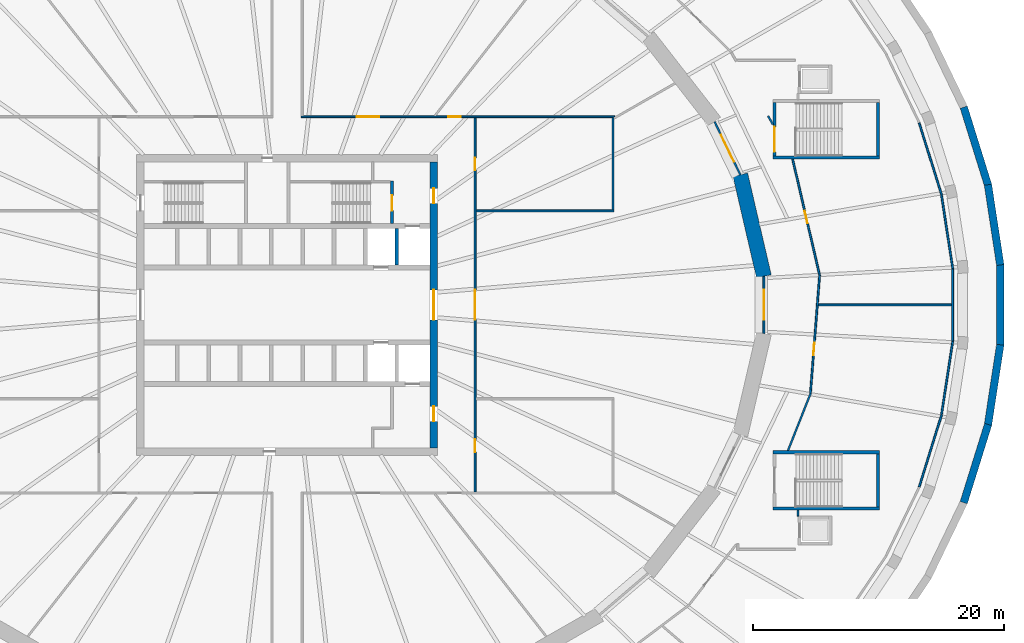
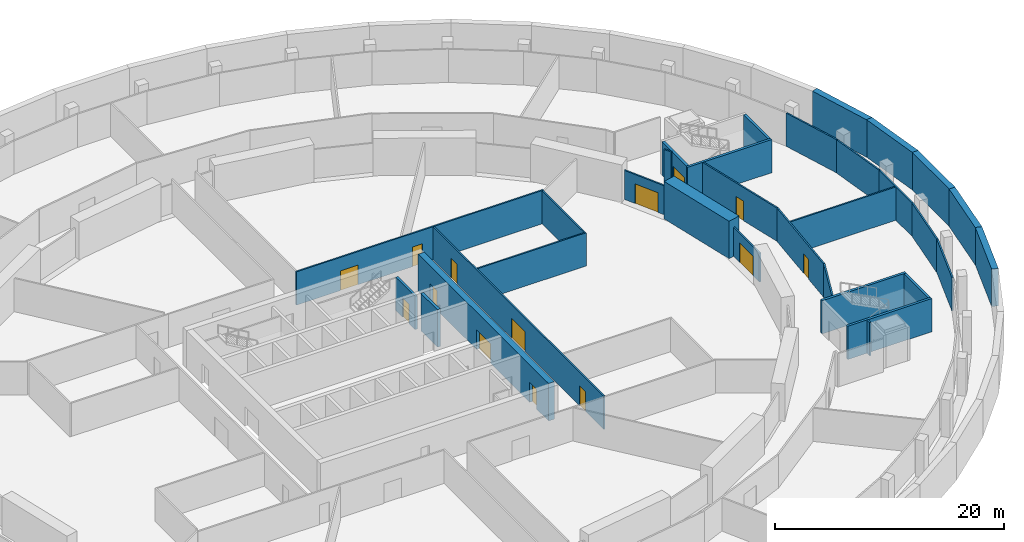
# One storey, part 9 of 14: 32 walls, 14 doors, 14 openings.
"""IFC4 building model written with IfcOpenShell, lengths in metres."""

from ifc_helpers import new_model, si_unit, direction, frame, frame_2d, origin, place, context, subcontext, project, spatial, polyline, rectangle, outline, extrude, material, layer, layer_set, type_object, element, fill, save


model = new_model("IFC4")

# Units and contexts
model_context = context("Model", 3, precision=1e-05, world=origin(), true_north=direction((0.0, 1.0)))
body_context = subcontext(model_context, "Body", "Model", "MODEL_VIEW")
ifc_project = project(units=[si_unit("LENGTHUNIT", "METRE"), si_unit("AREAUNIT", "SQUARE_METRE"), si_unit("VOLUMEUNIT", "CUBIC_METRE"), si_unit("PLANEANGLEUNIT", "RADIAN"), si_unit("MASSUNIT", "GRAM", prefix="KILO")], contexts=[model_context])

# Site, building, storey
site_placement = place(None, origin())
site = spatial("IfcSite", under=ifc_project, at=site_placement, CompositionType="ELEMENT")
building_placement = place(site_placement, origin())
building = spatial("IfcBuilding", under=site, at=building_placement, Name="Halqa Exchange Tower", CompositionType="ELEMENT")
storey_placement = place(building_placement, frame((0.0, 0.0, -4.0)))
storey = spatial("IfcBuildingStorey", under=building, at=storey_placement, Name="B1", CompositionType="ELEMENT", Elevation=-4.0)

# Wall, openings, doors
ifc_material_1 = material(Name="Fire-rated gypsum board")
ifc_layer_1 = layer(ifc_material_1, 0.14990234375)
ifc_layer_set_1 = layer_set([ifc_layer_1], Name="Fire-rated gypsum board")
wall_type_1 = type_object("IfcWallType", Name="Fire partition EI 60 150", PredefinedType="PARTITIONING", material=ifc_layer_set_1)
wall_1_placement = place(storey_placement, frame((1.125, 15.0, 0.0), z_axis=(0.0, 0.0, 1.0), x_axis=(1.0, 0.0, 0.0)))
wall_1 = element("IfcWall", 1, at=wall_1_placement, inside=storey, type_object=wall_type_1, Name="B1-PWL-080", PredefinedType="PARTITIONING", context=body_context, shape_type="SweptSolid", body=[
    extrude(rectangle(XDim=25.0048828125, YDim=0.14990234375, at=frame_2d((12.50244140625, 0.0))), origin(), (0.0, 0.0, 1.0), 3.550048828125),
])
opening_1_placement = place(wall_1_placement, frame((11.72509765625, 0.0, 0.0)))
opening_1 = element("IfcOpeningElement", 2, at=opening_1_placement, cuts=wall_1, Name="Opening B1-08", PredefinedType="OPENING", context=body_context, shape_type="SweptSolid", body=[
    extrude(rectangle(XDim=1.0, YDim=2.10009765625, at=frame_2d((0.5, 1.050048828125))), frame((0.0, 0.0869140625, 0.0), z_axis=(0.0, -1.0, 0.0), x_axis=(1.0, 0.0, 0.0)), (0.0, 0.0, 1.0), 0.173828125),
])
opening_2_placement = place(wall_1_placement, frame((4.444091796875, 0.0, 0.0)))
opening_2 = element("IfcOpeningElement", 3, at=opening_2_placement, cuts=wall_1, Name="Opening B1-09", PredefinedType="OPENING", context=body_context, shape_type="SweptSolid", body=[
    extrude(rectangle(XDim=1.800048828125, YDim=2.10009765625, at=frame_2d((0.89990234375, 1.050048828125))), frame((0.0, 0.0869140625, 0.0), z_axis=(0.0, -1.0, 0.0), x_axis=(1.0, 0.0, 0.0)), (0.0, 0.0, 1.0), 0.173828125),
])
ifc_material_2 = material(Name="Steel fire door leaf", Category="steel")
door_type_1 = type_object("IfcDoorType", Name="Fire door FD30S 1000 x 2100", OperationType="SINGLE_SWING_LEFT", PredefinedType="DOOR", material=ifc_material_2)
door_1_placement = place(opening_1_placement, frame((1.0, 0.0, 0.0), z_axis=(0.0, 0.0, 1.0), x_axis=(-1.0, 0.0, 0.0)))
door_1 = element("IfcDoor", 4, at=door_1_placement, inside=storey, type_object=door_type_1, Name="B1-IDR-008", OperationType="SINGLE_SWING_RIGHT", OverallHeight=2.10009765625, OverallWidth=1.0, PredefinedType="DOOR", context=body_context, shape_type="SweptSolid", body=[
    extrude(rectangle(XDim=1.0, YDim=2.10009765625, at=frame_2d((0.5, 1.050048828125))), frame((0.0, 0.02490234375, 0.0), z_axis=(0.0, -1.0, 0.0), x_axis=(1.0, 0.0, 0.0)), (0.0, 0.0, 1.0), 0.050048828125),
])
fill(opening_1, door_1)
door_type_2 = type_object("IfcDoorType", Name="Fire door FD30S double 1800 x 2100", OperationType="DOUBLE_DOOR_SINGLE_SWING", PredefinedType="DOOR", material=ifc_material_2)
door_2_placement = place(opening_2_placement, frame((1.800048828125, 0.0, 0.0), z_axis=(0.0, 0.0, 1.0), x_axis=(-1.0, 0.0, 0.0)))
door_2 = element("IfcDoor", 5, at=door_2_placement, inside=storey, type_object=door_type_2, Name="B1-IDR-009", OperationType="DOUBLE_DOOR_SINGLE_SWING", OverallHeight=2.10009765625, OverallWidth=1.800048828125, PredefinedType="DOOR", context=body_context, shape_type="SweptSolid", body=[
    extrude(rectangle(XDim=1.800048828125, YDim=2.10009765625, at=frame_2d((0.89990234375, 1.050048828125))), frame((0.0, 0.02490234375, 0.0), z_axis=(0.0, -1.0, 0.0), x_axis=(1.0, 0.0, 0.0)), (0.0, 0.0, 1.0), 0.050048828125),
])
fill(opening_2, door_2)

wall_2_placement = place(storey_placement, frame((15.0, -14.925048828125, 0.0), z_axis=(0.0, 0.0, 1.0), x_axis=(0.0, 1.0, 0.0)))
wall_2 = element("IfcWall", 6, at=wall_2_placement, inside=storey, type_object=wall_type_1, Name="B1-PWL-092", PredefinedType="PARTITIONING", context=body_context, shape_type="SweptSolid", body=[
    extrude(rectangle(XDim=29.85009765625, YDim=0.14990234375, at=frame_2d((14.925048828125, 0.0))), origin(), (0.0, 0.0, 1.0), 3.550048828125),
])
opening_3_placement = place(wall_2_placement, frame((25.659912109375, 0.0, 0.0)))
opening_3 = element("IfcOpeningElement", 7, at=opening_3_placement, cuts=wall_2, Name="Opening B1-01", PredefinedType="OPENING", context=body_context, shape_type="SweptSolid", body=[
    extrude(rectangle(XDim=1.0, YDim=2.10009765625, at=frame_2d((0.5, 1.050048828125))), frame((0.0, 0.0869140625, 0.0), z_axis=(0.0, -1.0, 0.0), x_axis=(1.0, 0.0, 0.0)), (0.0, 0.0, 1.0), 0.173828125),
])
opening_4_placement = place(wall_2_placement, frame((3.18994140625, 0.0, 0.0)))
opening_4 = element("IfcOpeningElement", 8, at=opening_4_placement, cuts=wall_2, Name="Opening B1-02", PredefinedType="OPENING", context=body_context, shape_type="SweptSolid", body=[
    extrude(rectangle(XDim=1.0, YDim=2.10009765625, at=frame_2d((0.5, 1.050048828125))), frame((0.0, 0.0869140625, 0.0), z_axis=(0.0, -1.0, 0.0), x_axis=(1.0, 0.0, 0.0)), (0.0, 0.0, 1.0), 0.173828125),
])
opening_5_placement = place(wall_2_placement, frame((13.72509765625, 0.0, 0.0)))
opening_5 = element("IfcOpeningElement", 9, at=opening_5_placement, cuts=wall_2, Name="Opening B1-07", PredefinedType="OPENING", context=body_context, shape_type="SweptSolid", body=[
    extrude(rectangle(XDim=2.39990234375, YDim=2.10009765625, at=frame_2d((1.199951171875, 1.050048828125))), frame((0.0, 0.0869140625, 0.0), z_axis=(0.0, -1.0, 0.0), x_axis=(1.0, 0.0, 0.0)), (0.0, 0.0, 1.0), 0.173828125),
])
door_3_placement = place(opening_3_placement, origin())
door_3 = element("IfcDoor", 10, at=door_3_placement, inside=storey, type_object=door_type_1, Name="B1-IDR-001", OperationType="SINGLE_SWING_LEFT", OverallHeight=2.10009765625, OverallWidth=1.0, PredefinedType="DOOR", context=body_context, shape_type="SweptSolid", body=[
    extrude(rectangle(XDim=1.0, YDim=2.10009765625, at=frame_2d((0.5, 1.050048828125))), frame((0.0, 0.02490234375, 0.0), z_axis=(0.0, -1.0, 0.0), x_axis=(1.0, 0.0, 0.0)), (0.0, 0.0, 1.0), 0.050048828125),
])
fill(opening_3, door_3)
door_4_placement = place(opening_4_placement, origin())
door_4 = element("IfcDoor", 11, at=door_4_placement, inside=storey, type_object=door_type_1, Name="B1-IDR-002", OperationType="SINGLE_SWING_RIGHT", OverallHeight=2.10009765625, OverallWidth=1.0, PredefinedType="DOOR", context=body_context, shape_type="SweptSolid", body=[
    extrude(rectangle(XDim=1.0, YDim=2.10009765625, at=frame_2d((0.5, 1.050048828125))), frame((0.0, 0.02490234375, 0.0), z_axis=(0.0, -1.0, 0.0), x_axis=(1.0, 0.0, 0.0)), (0.0, 0.0, 1.0), 0.050048828125),
])
fill(opening_4, door_4)
door_type_3 = type_object("IfcDoorType", Name="Fire door FD60S double 2400 x 2100", OperationType="DOUBLE_DOOR_SINGLE_SWING", PredefinedType="DOOR", material=ifc_material_2)
door_5_placement = place(opening_5_placement, origin())
door_5 = element("IfcDoor", 12, at=door_5_placement, inside=storey, type_object=door_type_3, Name="B1-IDR-007", OperationType="DOUBLE_DOOR_SINGLE_SWING", OverallHeight=2.10009765625, OverallWidth=2.39990234375, PredefinedType="DOOR", context=body_context, shape_type="SweptSolid", body=[
    extrude(rectangle(XDim=2.39990234375, YDim=2.10009765625, at=frame_2d((1.199951171875, 1.050048828125))), frame((0.0, 0.02490234375, 0.0), z_axis=(0.0, -1.0, 0.0), x_axis=(1.0, 0.0, 0.0)), (0.0, 0.0, 1.0), 0.050048828125),
])
fill(opening_5, door_5)

# Walls
wall_3_placement = place(storey_placement, frame((26.074951171875, 7.5, 0.0), z_axis=(0.0, 0.0, 1.0), x_axis=(-1.0, 0.0, 0.0)))
element("IfcWall", 13, at=wall_3_placement, inside=storey, type_object=wall_type_1, Name="B1-PWL-106", PredefinedType="PARTITIONING", context=body_context, shape_type="SweptSolid", body=[
    extrude(rectangle(XDim=11.0, YDim=0.14990234375, at=frame_2d((5.5, 0.0))), origin(), (0.0, 0.0, 1.0), 3.550048828125),
])
wall_4_placement = place(storey_placement, frame((26.0, 7.573974609375, 0.0), z_axis=(0.0, 0.0, 1.0), x_axis=(0.0, 1.0, 0.0)))
element("IfcWall", 14, at=wall_4_placement, inside=storey, type_object=wall_type_1, Name="B1-PWL-107", PredefinedType="PARTITIONING", context=body_context, shape_type="SweptSolid", body=[
    extrude(rectangle(XDim=7.35107421875, YDim=0.14990234375, at=frame_2d((3.675537109375, 0.0))), origin(), (0.0, 0.0, 1.0), 3.550048828125),
])

# Wall, opening, door
wall_5_placement = place(storey_placement, frame((34.09716796875, 14.605712890625, 0.0), z_axis=(0.0, 0.0, 1.0), x_axis=(0.436936398764, -0.899492403212, 0.0)))
wall_5 = element("IfcWall", 15, at=wall_5_placement, inside=storey, type_object=wall_type_1, Name="B1-PWL-116", PredefinedType="PARTITIONING", context=body_context, shape_type="SweptSolid", body=[
    extrude(outline(polyline([(0.015869140625, -0.074951171875), (4.680908203125, -0.074951171875), (4.715087890625, 0.074951171875), (-0.015869140625, 0.074951171875), (0.015869140625, -0.074951171875)])), origin(), (0.0, 0.0, 1.0), 3.10009765625),
])
opening_6_placement = place(wall_5_placement, frame((1.15234375, 0.0, 0.0)))
opening_6 = element("IfcOpeningElement", 16, at=opening_6_placement, cuts=wall_5, Name="Opening B1-17", PredefinedType="OPENING", context=body_context, shape_type="SweptSolid", body=[
    extrude(rectangle(XDim=2.39990234375, YDim=2.10009765625, at=frame_2d((1.199951171875, 1.050048828125))), frame((0.0, 0.0869140625, 0.0), z_axis=(0.0, -1.0, 0.0), x_axis=(1.0, 0.0, 0.0)), (0.0, 0.0, 1.0), 0.173828125),
])
door_6_placement = place(opening_6_placement, origin())
door_6 = element("IfcDoor", 17, at=door_6_placement, inside=storey, type_object=door_type_3, Name="B1-IDR-017", OperationType="DOUBLE_DOOR_SINGLE_SWING", OverallHeight=2.10009765625, OverallWidth=2.39990234375, PredefinedType="DOOR", context=body_context, shape_type="SweptSolid", body=[
    extrude(rectangle(XDim=2.39990234375, YDim=2.10009765625, at=frame_2d((1.199951171875, 1.050048828125))), frame((0.0, 0.02490234375, 0.0), z_axis=(0.0, -1.0, 0.0), x_axis=(1.0, 0.0, 0.0)), (0.0, 0.0, 1.0), 0.050048828125),
])
fill(opening_6, door_6)

wall_6_placement = place(storey_placement, frame((38.030029296875, 2.267578125, 0.0), z_axis=(0.0, 0.0, 1.0), x_axis=(0.0, -1.0, 0.0)))
wall_6 = element("IfcWall", 18, at=wall_6_placement, inside=storey, type_object=wall_type_1, Name="B1-PWL-124", PredefinedType="PARTITIONING", context=body_context, shape_type="SweptSolid", body=[
    extrude(outline(polyline([(0.017333984375, -0.074951171875), (4.517822265625, -0.074951171875), (4.552490234375, 0.074951171875), (-0.017333984375, 0.074951171875), (0.017333984375, -0.074951171875)])), origin(), (0.0, 0.0, 1.0), 3.10009765625),
])
opening_7_placement = place(wall_6_placement, frame((1.0673828125, 0.0, 0.0)))
opening_7 = element("IfcOpeningElement", 19, at=opening_7_placement, cuts=wall_6, Name="Opening B1-16", PredefinedType="OPENING", context=body_context, shape_type="SweptSolid", body=[
    extrude(rectangle(XDim=2.39990234375, YDim=2.10009765625, at=frame_2d((1.199951171875, 1.050048828125))), frame((0.0, 0.0869140625, 0.0), z_axis=(0.0, -1.0, 0.0), x_axis=(1.0, 0.0, 0.0)), (0.0, 0.0, 1.0), 0.173828125),
])
door_7_placement = place(opening_7_placement, origin())
door_7 = element("IfcDoor", 20, at=door_7_placement, inside=storey, type_object=door_type_3, Name="B1-IDR-016", OperationType="DOUBLE_DOOR_SINGLE_SWING", OverallHeight=2.10009765625, OverallWidth=2.39990234375, PredefinedType="DOOR", context=body_context, shape_type="SweptSolid", body=[
    extrude(rectangle(XDim=2.39990234375, YDim=2.10009765625, at=frame_2d((1.199951171875, 1.050048828125))), frame((0.0, 0.02490234375, 0.0), z_axis=(0.0, -1.0, 0.0), x_axis=(1.0, 0.0, 0.0)), (0.0, 0.0, 1.0), 0.050048828125),
])
fill(opening_7, door_7)

# Walls
wall_7_placement = place(storey_placement, frame((38.363037109375, 15.065185546875, 0.0), z_axis=(0.0, 0.0, 1.0), x_axis=(0.49173071, -0.870747327784, 0.0)))
element("IfcWall", 21, at=wall_7_placement, inside=storey, type_object=wall_type_1, Name="B1-PWL-125", PredefinedType="PARTITIONING", context=body_context, shape_type="SweptSolid", body=[
    extrude(outline(polyline([(0.0, -0.074951171875), (0.743408203125, -0.074951171875), (0.833251953125, 0.074951171875), (0.0, 0.074951171875), (0.0, -0.074951171875)])), origin(), (0.0, 0.0, 1.0), 3.550048828125),
])
wall_8_placement = place(storey_placement, frame((39.94775390625, -11.62548828125, 0.0), z_axis=(0.0, 0.0, 1.0), x_axis=(0.368047556164, 0.92980696728, 0.0)))
element("IfcWall", 22, at=wall_8_placement, inside=storey, type_object=wall_type_1, Name="B1-PWL-126", PredefinedType="PARTITIONING", context=body_context, shape_type="SweptSolid", body=[
    extrude(outline(polyline([(0.02978515625, -0.074951171875), (4.9140625, -0.074951171875), (4.9140625, 0.074951171875), (-0.02978515625, 0.074951171875), (0.02978515625, -0.074951171875)])), origin(), (0.0, 0.0, 1.0), 3.550048828125),
])

# Wall, opening, door
wall_9_placement = place(storey_placement, frame((40.321044921875, 11.62548828125, 0.0), z_axis=(0.0, 0.0, 1.0), x_axis=(0.226176729561, -0.974086283142, 0.0)))
wall_9 = element("IfcWall", 23, at=wall_9_placement, inside=storey, type_object=wall_type_1, Name="B1-PWL-128", PredefinedType="PARTITIONING", context=body_context, shape_type="SweptSolid", body=[
    extrude(outline(polyline([(-0.017333984375, -0.074951171875), (9.5009765625, -0.074951171875), (9.5009765625, 0.074951171875), (0.017333984375, 0.074951171875), (-0.017333984375, -0.074951171875)])), origin(), (0.0, 0.0, 1.0), 3.550048828125),
])
opening_8_placement = place(wall_9_placement, frame((4.248779296875, 0.0, 0.0)))
opening_8 = element("IfcOpeningElement", 24, at=opening_8_placement, cuts=wall_9, Name="Opening B1-21", PredefinedType="OPENING", context=body_context, shape_type="SweptSolid", body=[
    extrude(rectangle(XDim=1.0, YDim=2.10009765625, at=frame_2d((0.5, 1.050048828125))), frame((0.0, 0.0869140625, 0.0), z_axis=(0.0, -1.0, 0.0), x_axis=(1.0, 0.0, 0.0)), (0.0, 0.0, 1.0), 0.173828125),
])
door_8_placement = place(opening_8_placement, frame((1.0, 0.0, 0.0), z_axis=(0.0, 0.0, 1.0), x_axis=(-1.0, 0.0, 0.0)))
door_8 = element("IfcDoor", 25, at=door_8_placement, inside=storey, type_object=door_type_1, Name="B1-IDR-021", OperationType="SINGLE_SWING_LEFT", OverallHeight=2.10009765625, OverallWidth=1.0, PredefinedType="DOOR", context=body_context, shape_type="SweptSolid", body=[
    extrude(rectangle(XDim=1.0, YDim=2.10009765625, at=frame_2d((0.5, 1.050048828125))), frame((0.0, 0.02490234375, 0.0), z_axis=(0.0, -1.0, 0.0), x_axis=(1.0, 0.0, 0.0)), (0.0, 0.0, 1.0), 0.050048828125),
])
fill(opening_8, door_8)

# Wall
wall_10_placement = place(storey_placement, frame((40.75, -16.3740234375, 0.0), z_axis=(0.0, 0.0, 1.0), x_axis=(0.0, -1.0, 0.0)))
element("IfcWall", 26, at=wall_10_placement, inside=storey, type_object=wall_type_1, Name="B1-PWL-130", PredefinedType="PARTITIONING", context=body_context, shape_type="SweptSolid", body=[
    extrude(rectangle(XDim=0.47607421875, YDim=0.14990234375, at=frame_2d((0.238037109375, 0.0))), origin(), (0.0, 0.0, 1.0), 3.550048828125),
])

# Wall, opening, door
wall_11_placement = place(storey_placement, frame((41.7421875, -7.051513671875, 0.0), z_axis=(0.0, 0.0, 1.0), x_axis=(0.077460859739, 0.996995393775, 0.0)))
wall_11 = element("IfcWall", 27, at=wall_11_placement, inside=storey, type_object=wall_type_1, Name="B1-PWL-132", PredefinedType="PARTITIONING", context=body_context, shape_type="SweptSolid", body=[
    extrude(rectangle(XDim=9.4521484375, YDim=0.14990234375, at=frame_2d((4.72607421875, 0.0))), origin(), (0.0, 0.0, 1.0), 3.550048828125),
])
opening_9_placement = place(wall_11_placement, frame((3.037109375, 0.0, 0.0)))
opening_9 = element("IfcOpeningElement", 28, at=opening_9_placement, cuts=wall_11, Name="Opening B1-36", PredefinedType="OPENING", context=body_context, shape_type="SweptSolid", body=[
    extrude(rectangle(XDim=1.0, YDim=2.10009765625, at=frame_2d((0.5, 1.050048828125))), frame((0.0, 0.0869140625, 0.0), z_axis=(0.0, -1.0, 0.0), x_axis=(1.0, 0.0, 0.0)), (0.0, 0.0, 1.0), 0.173828125),
])
door_9_placement = place(opening_9_placement, origin())
door_9 = element("IfcDoor", 29, at=door_9_placement, inside=storey, type_object=door_type_1, Name="B1-IDR-036", OperationType="SINGLE_SWING_RIGHT", OverallHeight=2.10009765625, OverallWidth=1.0, PredefinedType="DOOR", context=body_context, shape_type="SweptSolid", body=[
    extrude(rectangle(XDim=1.0, YDim=2.10009765625, at=frame_2d((0.5, 1.050048828125))), frame((0.0, 0.02490234375, 0.0), z_axis=(0.0, -1.0, 0.0), x_axis=(1.0, 0.0, 0.0)), (0.0, 0.0, 1.0), 0.050048828125),
])
fill(opening_9, door_9)

# Walls
for number, where, z_axis, x_axis, name in (
    (30, (50.416259765625, -14.506103515625, 0.0), (0.0, 0.0, 1.0), (0.297713123711, 0.954655380737, 0.0), "B1-PWL-138"),
    (31, (50.416259765625, 14.506103515625, 0.0), (0.0, 0.0, 1.0), (0.297713123711, -0.954655380737, 0.0), "B1-PWL-139"),
):
    element("IfcWall", number, at=place(storey_placement, frame(where, z_axis=z_axis, x_axis=x_axis)), inside=storey, type_object=wall_type_1, Name=name, PredefinedType="PARTITIONING", context=body_context, shape_type="SweptSolid", body=[
        extrude(rectangle(XDim=6.0126953125, YDim=0.14990234375, at=frame_2d((3.00634765625, 0.0))), origin(), (0.0, 0.0, 1.0), 3.550048828125),
    ])
for number, where, z_axis, x_axis, name in (
    (32, (52.193359375, 8.762939453125, 0.0), (0.0, 0.0, 1.0), (0.151301640935, -0.988487639503, 0.0), "B1-PWL-140"),
    (33, (53.093505859375, -2.882080078125, 0.0), (0.0, 0.0, 1.0), (-0.151301640935, -0.988487639503, 0.0), "B1-PWL-141"),
):
    element("IfcWall", number, at=place(storey_placement, frame(where, z_axis=z_axis, x_axis=x_axis)), inside=storey, type_object=wall_type_1, Name=name, PredefinedType="PARTITIONING", context=body_context, shape_type="SweptSolid", body=[
        extrude(rectangle(XDim=5.949462890625, YDim=0.14990234375, at=frame_2d((2.974609375, 0.0))), origin(), (0.0, 0.0, 1.0), 3.550048828125),
    ])
wall_12_placement = place(storey_placement, frame((53.080078125, -2.880615234375, 0.0), z_axis=(0.0, 0.0, 1.0), x_axis=(0.0, 1.0, 0.0)))
element("IfcWall", 34, at=wall_12_placement, inside=storey, type_object=wall_type_1, Name="B1-PWL-142", PredefinedType="PARTITIONING", context=body_context, shape_type="SweptSolid", body=[
    extrude(rectangle(XDim=5.76123046875, YDim=0.14990234375, at=frame_2d((2.880615234375, 0.0))), origin(), (0.0, 0.0, 1.0), 3.550048828125),
])
wall_13_placement = place(storey_placement, frame((53.0048828125, 0.0, 0.0), z_axis=(0.0, 0.0, 1.0), x_axis=(-1.0, 0.0, 0.0)))
element("IfcWall", 35, at=wall_13_placement, inside=storey, type_object=wall_type_1, Name="B1-PWL-143", PredefinedType="PARTITIONING", context=body_context, shape_type="SweptSolid", body=[
    extrude(outline(polyline([(0.0, -0.074951171875), (10.634521484375, -0.074951171875), (10.646240234375, 0.074951171875), (0.0, 0.074951171875), (0.0, -0.074951171875)])), origin(), (0.0, 0.0, 1.0), 3.550048828125),
])
ifc_material_3 = material(Name="Concrete C40/50", Category="concrete")
ifc_layer_2 = layer(ifc_material_3, 0.60009765625)
ifc_layer_set_2 = layer_set([ifc_layer_2], Name="Concrete C40/50")
wall_type_2 = type_object("IfcWallType", Name="RC basement wall 600", PredefinedType="SOLIDWALL", material=ifc_layer_set_2)
wall_14_placement = place(storey_placement, frame((56.881591796875, 3.18212890625, 0.0), z_axis=(0.0, 0.0, 1.0), x_axis=(-0.151402579615, 0.988472184174, 0.0)))
element("IfcWall", 36, at=wall_14_placement, inside=storey, type_object=wall_type_2, Name="Basement retaining wall", PredefinedType="SOLIDWALL", context=body_context, shape_type="SweptSolid", body=[
    extrude(rectangle(XDim=6.474365234375, YDim=0.60009765625, at=frame_2d((3.2373046875, 0.0))), origin(), (0.0, 0.0, 1.0), 4.0),
])
for number, where, z_axis, x_axis, name in (
    (37, (55.91162109375, 9.537841796875, 0.0), (0.0, 0.0, 1.0), (-0.297591507632, 0.954693298701, 0.0), "Basement retaining wall"),
    (38, (53.968505859375, -15.771484375, 0.0), (0.0, 0.0, 1.0), (0.297591507632, 0.954693298701, 0.0), "Basement retaining wall"),
):
    element("IfcWall", number, at=place(storey_placement, frame(where, z_axis=z_axis, x_axis=x_axis)), inside=storey, type_object=wall_type_2, Name=name, PredefinedType="SOLIDWALL", context=body_context, shape_type="SweptSolid", body=[
        extrude(rectangle(XDim=6.529541015625, YDim=0.60009765625, at=frame_2d((3.2646484375, 0.0))), origin(), (0.0, 0.0, 1.0), 4.0),
    ])
wall_15_placement = place(storey_placement, frame((55.9013671875, -9.581787109375, 0.0), z_axis=(0.0, 0.0, 1.0), x_axis=(0.151402579615, 0.988472184174, 0.0)))
element("IfcWall", 39, at=wall_15_placement, inside=storey, type_object=wall_type_2, Name="Basement retaining wall", PredefinedType="SOLIDWALL", context=body_context, shape_type="SweptSolid", body=[
    extrude(rectangle(XDim=6.474365234375, YDim=0.60009765625, at=frame_2d((3.2373046875, 0.0))), origin(), (0.0, 0.0, 1.0), 4.0),
])
wall_16_placement = place(storey_placement, frame((56.8779296875, -3.2275390625, 0.0), z_axis=(0.0, 0.0, 1.0), x_axis=(0.0, 1.0, 0.0)))
element("IfcWall", 40, at=wall_16_placement, inside=storey, type_object=wall_type_2, Name="Basement retaining wall", PredefinedType="SOLIDWALL", context=body_context, shape_type="SweptSolid", body=[
    extrude(rectangle(XDim=6.455078125, YDim=0.60009765625, at=frame_2d((3.2275390625, 0.0))), origin(), (0.0, 0.0, 1.0), 4.0),
])
ifc_material_4 = material(Name="Concrete C60/75", Category="concrete")
ifc_layer_3 = layer(ifc_material_4, 0.300048828125)
ifc_layer_set_3 = layer_set([ifc_layer_3], Name="Concrete C60/75")
wall_type_3 = type_object("IfcWallType", Name="RC core wall 300", PredefinedType="SHEAR", material=ifc_layer_set_3)
wall_17_placement = place(storey_placement, frame((8.75, 3.199951171875, 0.0), z_axis=(0.0, 0.0, 1.0), x_axis=(0.0, 1.0, 0.0)))
element("IfcWall", 41, at=wall_17_placement, inside=storey, type_object=wall_type_3, Name="Shaft divider N8", PredefinedType="SHEAR", context=body_context, shape_type="SweptSolid", body=[
    extrude(rectangle(XDim=2.900146484375, YDim=0.300048828125, at=frame_2d((1.4501953125, 0.0))), origin(), (0.0, 0.0, 1.0), 4.0),
])

# Wall, openings, doors
ifc_material_5 = material(Name="Concrete C80/95", Category="concrete")
ifc_layer_4 = layer(ifc_material_5, 0.60009765625)
ifc_layer_set_4 = layer_set([ifc_layer_4], Name="Concrete C80/95")
wall_type_4 = type_object("IfcWallType", Name="RC core wall 600 C80/95", PredefinedType="SHEAR", material=ifc_layer_set_4)
wall_18_placement = place(storey_placement, frame((11.699951171875, -11.39990234375, 0.0), z_axis=(0.0, 0.0, 1.0), x_axis=(0.0, 1.0, 0.0)))
wall_18 = element("IfcWall", 42, at=wall_18_placement, inside=storey, type_object=wall_type_4, Name="Core wall east", PredefinedType="SHEAR", context=body_context, shape_type="SweptSolid", body=[
    extrude(rectangle(XDim=22.7998046875, YDim=0.60009765625, at=frame_2d((11.39990234375, 0.0))), origin(), (0.0, 0.0, 1.0), 4.0),
])
opening_10_placement = place(wall_18_placement, frame((10.199951171875, 0.0, 0.0)))
opening_10 = element("IfcOpeningElement", 43, at=opening_10_placement, cuts=wall_18, Name="Opening B1-C06", PredefinedType="OPENING", context=body_context, shape_type="SweptSolid", body=[
    extrude(rectangle(XDim=2.39990234375, YDim=2.10009765625, at=frame_2d((1.199951171875, 1.050048828125))), frame((0.0, 0.31201171875, 0.0), z_axis=(0.0, -1.0, 0.0), x_axis=(1.0, 0.0, 0.0)), (0.0, 0.0, 1.0), 0.6240234375),
])
opening_11_placement = place(wall_18_placement, frame((19.5, 0.0, 0.0)))
opening_11 = element("IfcOpeningElement", 44, at=opening_11_placement, cuts=wall_18, Name="Opening B1-C17", PredefinedType="OPENING", context=body_context, shape_type="SweptSolid", body=[
    extrude(rectangle(XDim=1.199951171875, YDim=2.10009765625, at=frame_2d((0.60009765625, 1.050048828125))), frame((0.0, 0.31201171875, 0.0), z_axis=(0.0, -1.0, 0.0), x_axis=(1.0, 0.0, 0.0)), (0.0, 0.0, 1.0), 0.6240234375),
])
opening_12_placement = place(wall_18_placement, frame((2.10009765625, 0.0, 0.0)))
opening_12 = element("IfcOpeningElement", 45, at=opening_12_placement, cuts=wall_18, Name="Opening B1-C18", PredefinedType="OPENING", context=body_context, shape_type="SweptSolid", body=[
    extrude(rectangle(XDim=1.199951171875, YDim=2.10009765625, at=frame_2d((0.60009765625, 1.050048828125))), frame((0.0, 0.31201171875, 0.0), z_axis=(0.0, -1.0, 0.0), x_axis=(1.0, 0.0, 0.0)), (0.0, 0.0, 1.0), 0.6240234375),
])
door_type_4 = type_object("IfcDoorType", Name="Firefighting lobby door FD90 1200 x 2100", OperationType="SINGLE_SWING_RIGHT", PredefinedType="DOOR", material=ifc_material_2)
door_10_placement = place(opening_11_placement, origin())
door_10 = element("IfcDoor", 46, at=door_10_placement, inside=storey, type_object=door_type_4, Name="Firefighting lobby door", OperationType="SINGLE_SWING_RIGHT", OverallHeight=2.10009765625, OverallWidth=1.199951171875, PredefinedType="DOOR", context=body_context, shape_type="SweptSolid", body=[
    extrude(rectangle(XDim=1.199951171875, YDim=2.10009765625, at=frame_2d((0.60009765625, 1.050048828125))), frame((0.0, 0.02490234375, 0.0), z_axis=(0.0, -1.0, 0.0), x_axis=(1.0, 0.0, 0.0)), (0.0, 0.0, 1.0), 0.050048828125),
])
fill(opening_11, door_10)
door_11_placement = place(opening_12_placement, origin())
door_11 = element("IfcDoor", 47, at=door_11_placement, inside=storey, type_object=door_type_4, Name="Firefighting lobby door", OperationType="SINGLE_SWING_LEFT", OverallHeight=2.10009765625, OverallWidth=1.199951171875, PredefinedType="DOOR", context=body_context, shape_type="SweptSolid", body=[
    extrude(rectangle(XDim=1.199951171875, YDim=2.10009765625, at=frame_2d((0.60009765625, 1.050048828125))), frame((0.0, 0.02490234375, 0.0), z_axis=(0.0, -1.0, 0.0), x_axis=(1.0, 0.0, 0.0)), (0.0, 0.0, 1.0), 0.050048828125),
])
fill(opening_12, door_11)
door_type_5 = type_object("IfcDoorType", Name="Lobby double door FD60 2400 x 2100", OperationType="DOUBLE_DOOR_SINGLE_SWING", PredefinedType="DOOR", material=ifc_material_2)
door_12_placement = place(opening_10_placement, frame((2.39990234375, 0.0, 0.0), z_axis=(0.0, 0.0, 1.0), x_axis=(-1.0, 0.0, 0.0)))
door_12 = element("IfcDoor", 48, at=door_12_placement, inside=storey, type_object=door_type_5, Name="Lift lobby double door", OperationType="DOUBLE_DOOR_SINGLE_SWING", OverallHeight=2.10009765625, OverallWidth=2.39990234375, PredefinedType="DOOR", context=body_context, shape_type="SweptSolid", body=[
    extrude(rectangle(XDim=2.39990234375, YDim=2.10009765625, at=frame_2d((1.199951171875, 1.050048828125))), frame((0.0, 0.02490234375, 0.0), z_axis=(0.0, -1.0, 0.0), x_axis=(1.0, 0.0, 0.0)), (0.0, 0.0, 1.0), 0.050048828125),
])
fill(opening_10, door_12)

# Wall
ifc_layer_5 = layer(ifc_material_5, 1.199951171875)
ifc_layer_set_5 = layer_set([ifc_layer_5], Name="Concrete C80/95")
wall_type_5 = type_object("IfcWallType", Name="RC ring pier 1200 C80/95", PredefinedType="SHEAR", material=ifc_layer_set_5)
wall_19_placement = place(storey_placement, frame((38.03173828125, 2.26708984375, 0.0), z_axis=(0.0, 0.0, 1.0), x_axis=(-0.226058185805, 0.974113800657, 0.0)))
element("IfcWall", 49, at=wall_19_placement, inside=storey, type_object=wall_type_5, Name="Ring pier 1", PredefinedType="SHEAR", context=body_context, shape_type="SweptSolid", body=[
    extrude(rectangle(XDim=8.328857421875, YDim=1.199951171875, at=frame_2d((4.16455078125, 0.0))), origin(), (0.0, 0.0, 1.0), 4.0),
])

# Wall, opening, door
ifc_material_6 = material(Name="Concrete C30/37", Category="concrete")
ifc_layer_6 = layer(ifc_material_6, 0.25)
ifc_layer_set_6 = layer_set([ifc_layer_6], Name="Concrete C30/37")
wall_type_6 = type_object("IfcWallType", Name="RC stair wall 250 C30/37", PredefinedType="SHEAR", material=ifc_layer_set_6)
wall_20_placement = place(storey_placement, frame((8.375, 6.5, 0.0), z_axis=(0.0, 0.0, 1.0), x_axis=(0.0, 1.0, 0.0)))
wall_20 = element("IfcWall", 50, at=wall_20_placement, inside=storey, type_object=wall_type_6, Name="Stair ST2 east wall N", PredefinedType="SHEAR", context=body_context, shape_type="SweptSolid", body=[
    extrude(rectangle(XDim=3.39990234375, YDim=0.25, at=frame_2d((1.699951171875, 0.0))), origin(), (0.0, 0.0, 1.0), 3.550048828125),
])
opening_13_placement = place(wall_20_placement, frame((1.02490234375, 0.0, 0.0)))
opening_13 = element("IfcOpeningElement", 51, at=opening_13_placement, cuts=wall_20, Name="Opening B1-C16", PredefinedType="OPENING", context=body_context, shape_type="SweptSolid", body=[
    extrude(rectangle(XDim=1.199951171875, YDim=2.10009765625, at=frame_2d((0.60009765625, 1.050048828125))), frame((0.0, 0.136962890625, 0.0), z_axis=(0.0, -1.0, 0.0), x_axis=(1.0, 0.0, 0.0)), (0.0, 0.0, 1.0), 0.27392578125),
])
door_type_6 = type_object("IfcDoorType", Name="Stair door FD90 1200 x 2100", OperationType="SINGLE_SWING_LEFT", PredefinedType="DOOR", material=ifc_material_2)
door_13_placement = place(opening_13_placement, origin())
door_13 = element("IfcDoor", 52, at=door_13_placement, inside=storey, type_object=door_type_6, Name="Stair door ST2", OperationType="SINGLE_SWING_LEFT", OverallHeight=2.10009765625, OverallWidth=1.199951171875, PredefinedType="DOOR", context=body_context, shape_type="SweptSolid", body=[
    extrude(rectangle(XDim=1.199951171875, YDim=2.10009765625, at=frame_2d((0.60009765625, 1.050048828125))), frame((0.0, 0.02490234375, 0.0), z_axis=(0.0, -1.0, 0.0), x_axis=(1.0, 0.0, 0.0)), (0.0, 0.0, 1.0), 0.050048828125),
])
fill(opening_13, door_13)

# Wall
wall_21_placement = place(storey_placement, frame((38.75, 11.75, 0.0), z_axis=(0.0, 0.0, 1.0), x_axis=(1.0, 0.0, 0.0)))
element("IfcWall", 53, at=wall_21_placement, inside=storey, type_object=wall_type_6, Name="Stair SS1 wall south", PredefinedType="SHEAR", context=body_context, shape_type="SweptSolid", body=[
    extrude(rectangle(XDim=8.5, YDim=0.25, at=frame_2d((4.25, 0.0))), origin(), (0.0, 0.0, 1.0), 3.550048828125),
])

# Wall, opening, door
wall_22_placement = place(storey_placement, frame((38.875, 11.875, 0.0), z_axis=(0.0, 0.0, 1.0), x_axis=(0.0, 1.0, 0.0)))
wall_22 = element("IfcWall", 54, at=wall_22_placement, inside=storey, type_object=wall_type_6, Name="Stair SS1 wall west", PredefinedType="SHEAR", context=body_context, shape_type="SweptSolid", body=[
    extrude(rectangle(XDim=4.25, YDim=0.25, at=frame_2d((2.125, 0.0))), origin(), (0.0, 0.0, 1.0), 3.550048828125),
])
opening_14_placement = place(wall_22_placement, frame((0.324951171875, 0.0, 0.0)))
opening_14 = element("IfcOpeningElement", 55, at=opening_14_placement, cuts=wall_22, Name="Opening B1-C11", PredefinedType="OPENING", context=body_context, shape_type="SweptSolid", body=[
    extrude(rectangle(XDim=2.0, YDim=2.10009765625, at=frame_2d((1.0, 1.050048828125))), frame((0.0, 0.136962890625, 0.0), z_axis=(0.0, -1.0, 0.0), x_axis=(1.0, 0.0, 0.0)), (0.0, 0.0, 1.0), 0.27392578125),
])
door_type_7 = type_object("IfcDoorType", Name="Station stair double door FD90 2000 x 2100", OperationType="DOUBLE_DOOR_SINGLE_SWING", PredefinedType="DOOR", material=ifc_material_2)
door_14_placement = place(opening_14_placement, frame((2.0, 0.0, 0.0), z_axis=(0.0, 0.0, 1.0), x_axis=(-1.0, 0.0, 0.0)))
door_14 = element("IfcDoor", 56, at=door_14_placement, inside=storey, type_object=door_type_7, Name="Core room door", OperationType="DOUBLE_DOOR_SINGLE_SWING", OverallHeight=2.10009765625, OverallWidth=2.0, PredefinedType="DOOR", context=body_context, shape_type="SweptSolid", body=[
    extrude(rectangle(XDim=2.0, YDim=2.10009765625, at=frame_2d((1.0, 1.050048828125))), frame((0.0, 0.02490234375, 0.0), z_axis=(0.0, -1.0, 0.0), x_axis=(1.0, 0.0, 0.0)), (0.0, 0.0, 1.0), 0.050048828125),
])
fill(opening_14, door_14)

# Walls
wall_23_placement = place(storey_placement, frame((47.125, 11.875, 0.0), z_axis=(0.0, 0.0, 1.0), x_axis=(0.0, 1.0, 0.0)))
element("IfcWall", 57, at=wall_23_placement, inside=storey, type_object=wall_type_6, Name="Stair SS1 wall east", PredefinedType="SHEAR", context=body_context, shape_type="SweptSolid", body=[
    extrude(rectangle(XDim=4.25, YDim=0.25, at=frame_2d((2.125, 0.0))), origin(), (0.0, 0.0, 1.0), 3.550048828125),
])
for number, where, z_axis, x_axis, name in (
    (58, (38.75, -11.75, 0.0), (0.0, 0.0, 1.0), (1.0, 0.0, 0.0), "Stair SS2 wall north"),
    (59, (38.75, -16.25, 0.0), (0.0, 0.0, 1.0), (1.0, 0.0, 0.0), "Stair SS2 wall south"),
):
    element("IfcWall", number, at=place(storey_placement, frame(where, z_axis=z_axis, x_axis=x_axis)), inside=storey, type_object=wall_type_6, Name=name, PredefinedType="SHEAR", context=body_context, shape_type="SweptSolid", body=[
        extrude(rectangle(XDim=8.5, YDim=0.25, at=frame_2d((4.25, 0.0))), origin(), (0.0, 0.0, 1.0), 3.550048828125),
    ])
wall_24_placement = place(storey_placement, frame((47.125, -16.125, 0.0), z_axis=(0.0, 0.0, 1.0), x_axis=(0.0, 1.0, 0.0)))
element("IfcWall", 60, at=wall_24_placement, inside=storey, type_object=wall_type_6, Name="Stair SS2 wall east", PredefinedType="SHEAR", context=body_context, shape_type="SweptSolid", body=[
    extrude(rectangle(XDim=4.25, YDim=0.25, at=frame_2d((2.125, 0.0))), origin(), (0.0, 0.0, 1.0), 3.550048828125),
])

save(model, "model.ifc")
